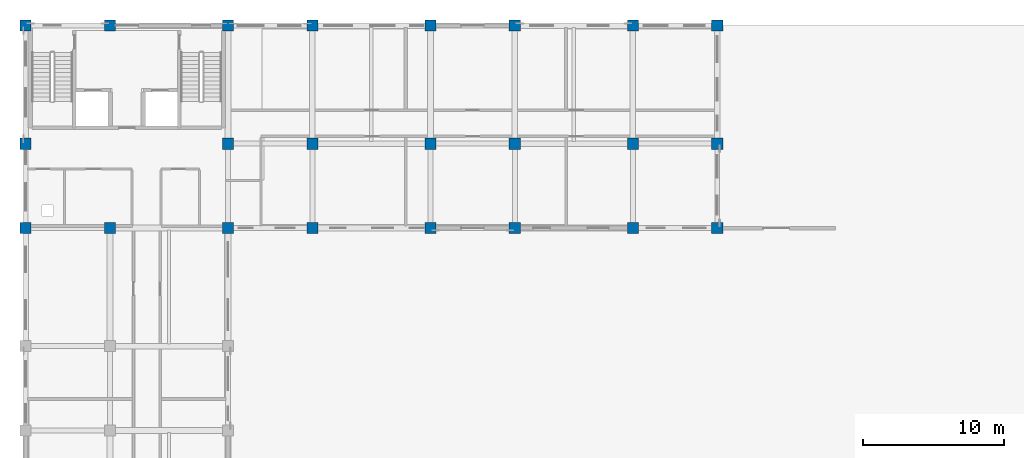
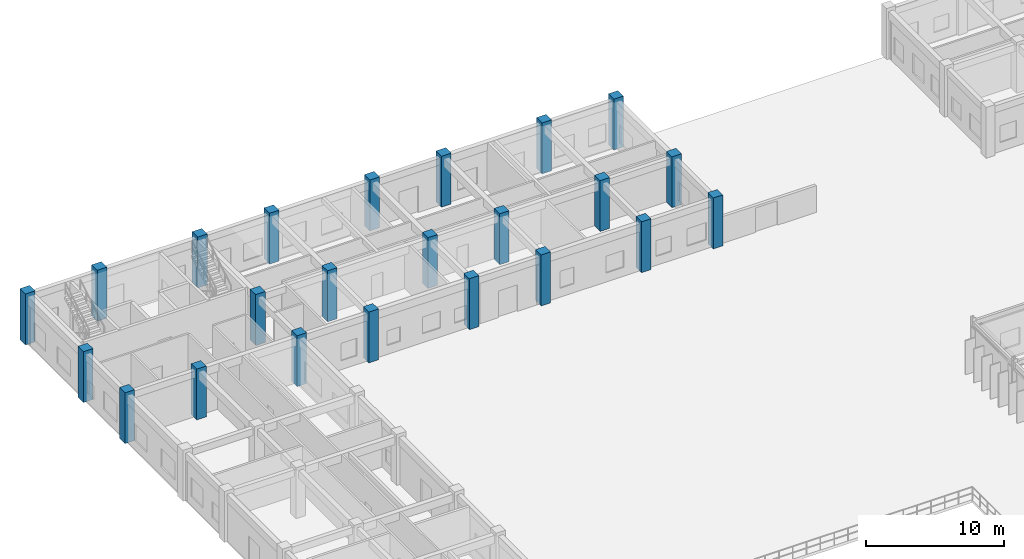
# One storey, part 7 of 67: 23 columns.
"""IFC4 building model written with IfcOpenShell, lengths in metres."""

from ifc_helpers import new_model, si_unit, direction, frame, origin, origin_2d, place, context, subcontext, project, spatial, rectangle, extrude, material, material_profile, profile_set, type_object, element, save


model = new_model("IFC4")

# Units and contexts
model_context = context("Model", 3, precision=1e-05, world=origin(), true_north=direction((0.0, 1.0)))
body_context = subcontext(model_context, "Body", "Model", "MODEL_VIEW")
ifc_project = project(units=[si_unit("LENGTHUNIT", "METRE"), si_unit("AREAUNIT", "SQUARE_METRE"), si_unit("VOLUMEUNIT", "CUBIC_METRE"), si_unit("PLANEANGLEUNIT", "RADIAN"), si_unit("MASSUNIT", "GRAM", prefix="KILO"), si_unit("THERMODYNAMICTEMPERATUREUNIT", "KELVIN")], contexts=[model_context])

# Site, building, storey
site_placement = place(None, origin())
site = spatial("IfcSite", under=ifc_project, at=site_placement, CompositionType="ELEMENT")
building_placement = place(site_placement, origin())
building = spatial("IfcBuilding", under=site, at=building_placement, Name="Thalorik Housing Commons", CompositionType="ELEMENT")
storey_placement = place(building_placement, origin())
storey = spatial("IfcBuildingStorey", under=building, at=storey_placement, Name="L00", CompositionType="ELEMENT", Elevation=0.0)

# Columns
ifc_material = material(Name="Precast concrete C40/50", Category="concrete")
ifc_material_profile = material_profile(ifc_material, rectangle(XDim=0.800048828125, YDim=0.800048828125, at=origin_2d()), Name="PC 800x800", Category="concrete")
ifc_profile_set = profile_set([ifc_material_profile], Name="Precast concrete C40/50")
column_type = type_object("IfcColumnType", Name="STR-COL-PC800", PredefinedType="COLUMN", material=ifc_profile_set)
for number, where, z_axis, x_axis, name in (
    (1, (8.39990234375, 109.199951171875, 0.0), (0.0, 0.0, 1.0), (1.0, 0.0, 0.0), "L00 Column C-800"),
    (2, (8.39990234375, 115.199951171875, 0.0), (0.0, 0.0, 1.0), (1.0, 0.0, 0.0), "L00 Column C-800"),
    (3, (8.39990234375, 123.60009765625, 0.0), (0.0, 0.0, 1.0), (1.0, 0.0, 0.0), "L00 Column C-800"),
    (4, (14.39990234375, 109.199951171875, 0.0), (0.0, 0.0, 1.0), (1.0, 0.0, 0.0), "L00 Column C-800"),
    (5, (14.39990234375, 123.60009765625, 0.0), (0.0, 0.0, 1.0), (1.0, 0.0, 0.0), "L00 Column C-800"),
    (6, (22.800048828125, 109.199951171875, 0.0), (0.0, 0.0, 1.0), (1.0, 0.0, 0.0), "L00 Column C-800"),
    (7, (22.800048828125, 115.199951171875, 0.0), (0.0, 0.0, 1.0), (1.0, 0.0, 0.0), "L00 Column C-800"),
    (8, (22.800048828125, 123.60009765625, 0.0), (0.0, 0.0, 1.0), (1.0, 0.0, 0.0), "L00 Column C-800"),
    (9, (28.800048828125, 109.199951171875, 0.0), (0.0, 0.0, 1.0), (1.0, 0.0, 0.0), "L00 Column C-800"),
    (10, (28.800048828125, 115.199951171875, 0.0), (0.0, 0.0, 1.0), (1.0, 0.0, 0.0), "L00 Column C-800"),
    (11, (28.800048828125, 123.60009765625, 0.0), (0.0, 0.0, 1.0), (1.0, 0.0, 0.0), "L00 Column C-800"),
    (12, (37.199951171875, 109.199951171875, 0.0), (0.0, 0.0, 1.0), (1.0, 0.0, 0.0), "L00 Column C-800"),
    (13, (37.199951171875, 115.199951171875, 0.0), (0.0, 0.0, 1.0), (1.0, 0.0, 0.0), "L00 Column C-800"),
    (14, (37.199951171875, 123.60009765625, 0.0), (0.0, 0.0, 1.0), (1.0, 0.0, 0.0), "L00 Column C-800"),
    (15, (43.199951171875, 109.199951171875, 0.0), (0.0, 0.0, 1.0), (1.0, 0.0, 0.0), "L00 Column C-800"),
    (16, (43.199951171875, 115.199951171875, 0.0), (0.0, 0.0, 1.0), (1.0, 0.0, 0.0), "L00 Column C-800"),
    (17, (43.199951171875, 123.60009765625, 0.0), (0.0, 0.0, 1.0), (1.0, 0.0, 0.0), "L00 Column C-800"),
    (18, (51.60009765625, 109.199951171875, 0.0), (0.0, 0.0, 1.0), (1.0, 0.0, 0.0), "L00 Column C-800"),
    (19, (51.60009765625, 115.199951171875, 0.0), (0.0, 0.0, 1.0), (1.0, 0.0, 0.0), "L00 Column C-800"),
    (20, (51.60009765625, 123.60009765625, 0.0), (0.0, 0.0, 1.0), (1.0, 0.0, 0.0), "L00 Column C-800"),
    (21, (57.60009765625, 109.199951171875, 0.0), (0.0, 0.0, 1.0), (1.0, 0.0, 0.0), "L00 Column C-800"),
    (22, (57.60009765625, 115.199951171875, 0.0), (0.0, 0.0, 1.0), (1.0, 0.0, 0.0), "L00 Column C-800"),
    (23, (57.60009765625, 123.60009765625, 0.0), (0.0, 0.0, 1.0), (1.0, 0.0, 0.0), "L00 Column C-800"),
):
    element("IfcColumn", number, at=place(storey_placement, frame(where, z_axis=z_axis, x_axis=x_axis)), inside=storey, type_object=column_type, Name=name, PredefinedType="COLUMN", context=body_context, shape_type="SweptSolid", body=[
        extrude(rectangle(XDim=0.800048828125, YDim=0.800048828125, at=origin_2d()), origin(), (0.0, 0.0, 1.0), 4.5),
    ])

save(model, "model.ifc")
